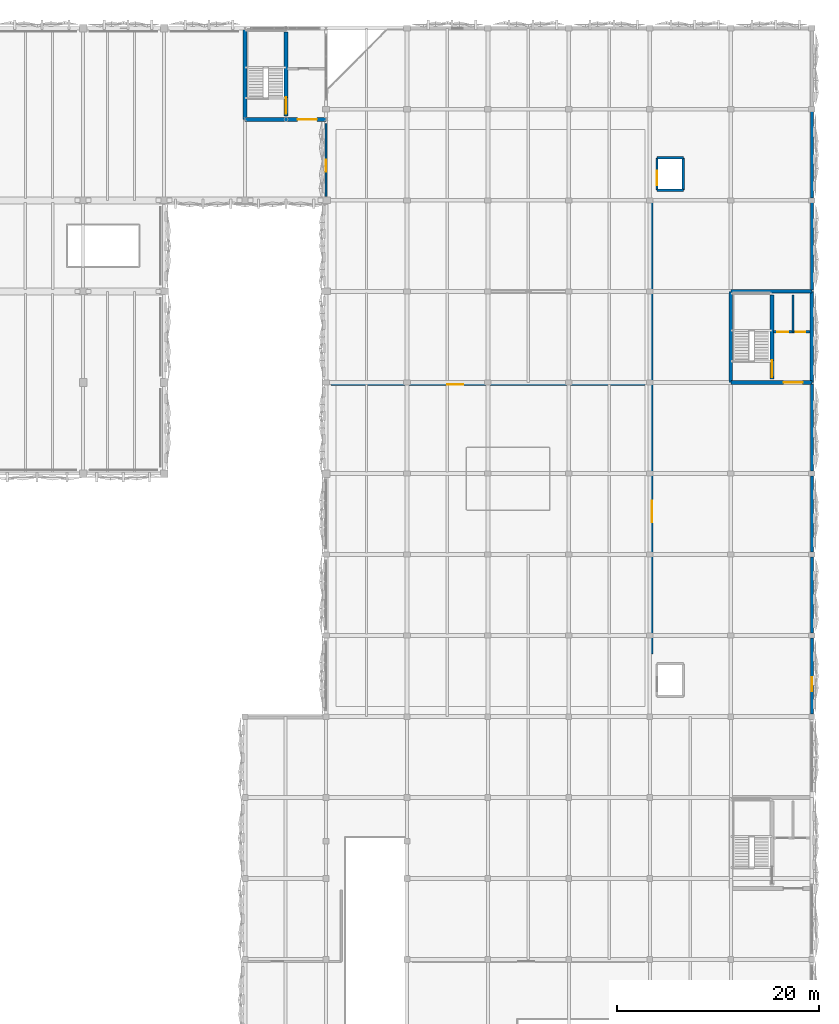
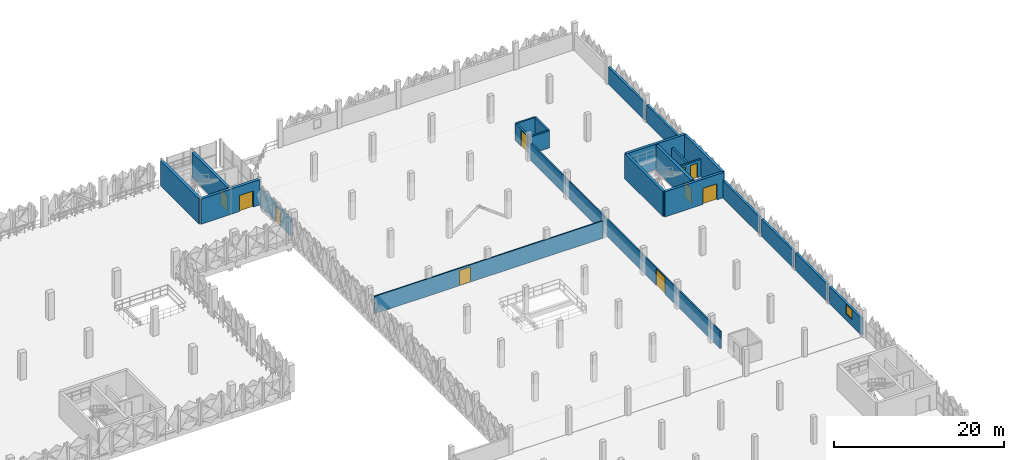
# One storey, part 43 of 83: 23 walls, 10 doors, 1 window, 11 openings.
"""IFC4 building model written with IfcOpenShell, lengths in metres."""

from ifc_helpers import new_model, si_unit, derived_unit, direction, frame, frame_2d, origin, place, context, subcontext, project, spatial, rectangle, extrude, material, layer, layer_set, type_object, element, fill, save


model = new_model("IFC4")

# Units and contexts
model_context = context("Model", 3, precision=1e-05, world=origin(), true_north=direction((0.0, 1.0)))
body_context = subcontext(model_context, "Body", "Model", "MODEL_VIEW")
ifc_project = project(units=[si_unit("LENGTHUNIT", "METRE"), si_unit("AREAUNIT", "SQUARE_METRE"), si_unit("VOLUMEUNIT", "CUBIC_METRE"), si_unit("PLANEANGLEUNIT", "RADIAN"), si_unit("MASSUNIT", "GRAM", prefix="KILO"), si_unit("THERMODYNAMICTEMPERATUREUNIT", "KELVIN"), derived_unit("THERMALTRANSMITTANCEUNIT", [(si_unit("POWERUNIT", "WATT"), 1), (si_unit("AREAUNIT", "SQUARE_METRE"), -1), (si_unit("THERMODYNAMICTEMPERATUREUNIT", "KELVIN"), -1)])], contexts=[model_context])

# Site, building, storey
site_placement = place(None, origin())
site = spatial("IfcSite", under=ifc_project, at=site_placement, CompositionType="ELEMENT")
building_placement = place(site_placement, origin())
building = spatial("IfcBuilding", under=site, at=building_placement, Name="Haiyu Intermodal Mobility Hub", CompositionType="ELEMENT")
storey_placement = place(building_placement, frame((0.0, 0.0, 13.39990234375)))
storey = spatial("IfcBuildingStorey", under=building, at=storey_placement, Name="L03", CompositionType="ELEMENT", Elevation=13.39990234375)

# Wall, opening, window
ifc_material_1 = material(Name="Precast concrete C40", Category="concrete")
ifc_layer_1 = layer(ifc_material_1, 0.300048828125)
ifc_layer_set_1 = layer_set([ifc_layer_1], Name="Precast concrete C40")
wall_type_1 = type_object("IfcWallType", Name="WAL-WE01", PredefinedType="STANDARD", material=ifc_layer_set_1)
wall_1_placement = place(storey_placement, frame((210.0, 80.2548828125, 0.0), z_axis=(0.0, 0.0, 1.0), x_axis=(0.0, 1.0, 0.0)))
wall_1 = element("IfcWall", 1, at=wall_1_placement, inside=storey, type_object=wall_type_1, Name="WAL-V6E-208", PredefinedType="STANDARD", context=body_context, shape_type="SweptSolid", body=[
    extrude(rectangle(XDim=7.510009765625, YDim=0.300048828125, at=frame_2d((3.7548828125, 0.0))), origin(), (0.0, 0.0, 1.0), 2.47998046875),
])
opening_1_placement = place(wall_1_placement, frame((2.22509765625, 0.0, 0.949951171875)))
opening_1 = element("IfcOpeningElement", 2, at=opening_1_placement, cuts=wall_1, Name="Opening WN13", PredefinedType="OPENING", context=body_context, shape_type="SweptSolid", body=[
    extrude(rectangle(XDim=1.39990234375, YDim=1.35009765625, at=frame_2d((0.699951171875, 0.675048828125))), frame((0.0, 0.16015625, 0.0), z_axis=(0.0, -1.0, 0.0), x_axis=(1.0, 0.0, 0.0)), (0.0, 0.0, 1.0), 0.320068359375),
])
ifc_material_2 = material(Name="Low-e laminated insulating glass", Category="glass")
window_type = type_object("IfcWindowType", Name="WIN-WN13", PartitioningType="SINGLE_PANEL", PredefinedType="WINDOW", material=ifc_material_2)
window_placement = place(opening_1_placement, origin())
window = element("IfcWindow", 3, at=window_placement, inside=storey, type_object=window_type, Name="WAL-V6E-208-WN01", OverallHeight=1.35009765625, OverallWidth=1.39990234375, PartitioningType="SINGLE_PANEL", PredefinedType="WINDOW", context=body_context, shape_type="SweptSolid", body=[
    extrude(rectangle(XDim=1.39990234375, YDim=1.35009765625, at=frame_2d((0.699951171875, 0.675048828125))), frame((0.0, 0.030029296875, 0.0), z_axis=(0.0, -1.0, 0.0), x_axis=(1.0, 0.0, 0.0)), (0.0, 0.0, 1.0), 0.06005859375),
])
fill(opening_1, window)

# Walls
for number, where, z_axis, x_axis, name in (
    (4, (210.0, 88.235107421875, 0.0), (0.0, 0.0, 1.0), (0.0, 1.0, 0.0), "WAL-V6E-210"),
    (5, (210.0, 96.235107421875, 0.0), (0.0, 0.0, 1.0), (0.0, 1.0, 0.0), "WAL-V6E-212"),
):
    element("IfcWall", number, at=place(storey_placement, frame(where, z_axis=z_axis, x_axis=x_axis)), inside=storey, type_object=wall_type_1, Name=name, PredefinedType="STANDARD", context=body_context, shape_type="SweptSolid", body=[
        extrude(rectangle(XDim=7.52978515625, YDim=0.300048828125, at=frame_2d((3.764892578125, 0.0))), origin(), (0.0, 0.0, 1.0), 2.47998046875),
    ])
for number, where, z_axis, x_axis, name in (
    (6, (210.0, 104.235107421875, 0.0), (0.0, 0.0, 1.0), (0.0, 1.0, 0.0), "WAL-V6E-214"),
    (7, (210.0, 122.1298828125, 0.0), (0.0, 0.0, 1.0), (0.0, 1.0, 0.0), "WAL-V6E-216"),
):
    element("IfcWall", number, at=place(storey_placement, frame(where, z_axis=z_axis, x_axis=x_axis)), inside=storey, type_object=wall_type_1, Name=name, PredefinedType="STANDARD", context=body_context, shape_type="SweptSolid", body=[
        extrude(rectangle(XDim=8.635009765625, YDim=0.300048828125, at=frame_2d((4.3173828125, 0.0))), origin(), (0.0, 0.0, 1.0), 2.47998046875),
    ])
wall_2_placement = place(storey_placement, frame((210.0, 131.235107421875, 0.0), z_axis=(0.0, 0.0, 1.0), x_axis=(0.0, 1.0, 0.0)))
element("IfcWall", 8, at=wall_2_placement, inside=storey, type_object=wall_type_1, Name="WAL-V6E-218", PredefinedType="STANDARD", context=body_context, shape_type="SweptSolid", body=[
    extrude(rectangle(XDim=8.52978515625, YDim=0.300048828125, at=frame_2d((4.264892578125, 0.0))), origin(), (0.0, 0.0, 1.0), 2.47998046875),
])
ifc_material_3 = material(Name="Autoclaved aerated concrete block A5.0", Category="concrete")
ifc_layer_2 = layer(ifc_material_3, 0.22998046875)
ifc_layer_set_2 = layer_set([ifc_layer_2], Name="Autoclaved aerated concrete block A5.0")
wall_type_2 = type_object("IfcWallType", Name="WAL-WI01", PredefinedType="PARTITIONING", material=ifc_layer_set_2)
wall_3_placement = place(storey_placement, frame((208.1298828125, 118.0, 0.0), z_axis=(0.0, 0.0, 1.0), x_axis=(0.0, 1.0, 0.0)))
element("IfcWall", 9, at=wall_3_placement, inside=storey, type_object=wall_type_2, Name="WAL-CORE-C10-LSH-L03", PredefinedType="PARTITIONING", context=body_context, shape_type="SweptSolid", body=[
    extrude(rectangle(XDim=3.64990234375, YDim=0.22998046875, at=frame_2d((1.824951171875, 0.0))), origin(), (0.0, 0.0, 1.0), 2.47998046875),
])

# Wall, openings, doors
wall_4_placement = place(storey_placement, frame((206.2099609375, 118.0, 0.0), z_axis=(0.0, 0.0, 1.0), x_axis=(1.0, 0.0, 0.0)))
wall_4 = element("IfcWall", 10, at=wall_4_placement, inside=storey, type_object=wall_type_2, Name="WAL-CORE-C10-LFT-L03", PredefinedType="PARTITIONING", context=body_context, shape_type="SweptSolid", body=[
    extrude(rectangle(XDim=3.630126953125, YDim=0.22998046875, at=frame_2d((1.81494140625, 0.0))), origin(), (0.0, 0.0, 1.0), 2.47998046875),
])
opening_2_placement = place(wall_4_placement, frame((0.3798828125, 0.0, 0.0)))
opening_2 = element("IfcOpeningElement", 11, at=opening_2_placement, cuts=wall_4, Name="Opening LD01", PredefinedType="OPENING", context=body_context, shape_type="SweptSolid", body=[
    extrude(rectangle(XDim=1.10009765625, YDim=2.14990234375, at=frame_2d((0.550048828125, 1.074951171875))), frame((0.0, 0.125, 0.0), z_axis=(0.0, -1.0, 0.0), x_axis=(1.0, 0.0, 0.0)), (0.0, 0.0, 1.0), 0.25),
])
opening_3_placement = place(wall_4_placement, frame((2.179931640625, 0.0, 0.0)))
opening_3 = element("IfcOpeningElement", 12, at=opening_3_placement, cuts=wall_4, Name="Opening DI07", PredefinedType="OPENING", context=body_context, shape_type="SweptSolid", body=[
    extrude(rectangle(XDim=0.949951171875, YDim=2.10009765625, at=frame_2d((0.47509765625, 1.050048828125))), frame((0.0, 0.125, 0.0), z_axis=(0.0, -1.0, 0.0), x_axis=(1.0, 0.0, 0.0)), (0.0, 0.0, 1.0), 0.25),
])
ifc_material_4 = material(Name="Steel Q355C", Category="steel")
door_type_1 = type_object("IfcDoorType", Name="DR-DI07", OperationType="NOTDEFINED", PredefinedType="DOOR", material=ifc_material_4)
door_1_placement = place(opening_3_placement, origin())
door_1 = element("IfcDoor", 13, at=door_1_placement, inside=storey, type_object=door_type_1, Name="Core C10 Accessible WC Door L03", OperationType="SINGLE_SWING_RIGHT", OverallHeight=2.10009765625, OverallWidth=0.949951171875, PredefinedType="DOOR", context=body_context, shape_type="SweptSolid", body=[
    extrude(rectangle(XDim=0.949951171875, YDim=2.10009765625, at=frame_2d((0.47509765625, 1.050048828125))), frame((0.0, 0.02490234375, 0.0), z_axis=(0.0, -1.0, 0.0), x_axis=(1.0, 0.0, 0.0)), (0.0, 0.0, 1.0), 0.050048828125),
])
fill(opening_3, door_1)
door_type_2 = type_object("IfcDoorType", Name="DR-LD01", OperationType="DOUBLE_DOOR_SLIDING", PredefinedType="DOOR", material=ifc_material_4)
door_2_placement = place(opening_2_placement, origin())
door_2 = element("IfcDoor", 14, at=door_2_placement, inside=storey, type_object=door_type_2, Name="Lift FL-04 Sliding Landing Door L03", OperationType="SLIDING_TO_LEFT", OverallHeight=2.14990234375, OverallWidth=1.10009765625, PredefinedType="DOOR", context=body_context, shape_type="SweptSolid", body=[
    extrude(rectangle(XDim=1.10009765625, YDim=2.14990234375, at=frame_2d((0.550048828125, 1.074951171875))), frame((0.0, 0.02490234375, 0.0), z_axis=(0.0, -1.0, 0.0), x_axis=(1.0, 0.0, 0.0)), (0.0, 0.0, 1.0), 0.050048828125),
])
fill(opening_2, door_2)

# Wall, opening, door
wall_5_placement = place(storey_placement, frame((194.699951171875, 132.0, 0.0), z_axis=(0.0, 0.0, 1.0), x_axis=(0.0, 1.0, 0.0)))
wall_5 = element("IfcWall", 15, at=wall_5_placement, inside=storey, type_object=wall_type_2, Name="WAL-GL-02-W-L03", PredefinedType="PARTITIONING", context=body_context, shape_type="SweptSolid", body=[
    extrude(rectangle(XDim=3.199951171875, YDim=0.22998046875, at=frame_2d((1.60009765625, 0.0))), origin(), (0.0, 0.0, 1.0), 2.47998046875),
])
opening_4_placement = place(wall_5_placement, frame((0.5, 0.0, 0.0)))
opening_4 = element("IfcOpeningElement", 16, at=opening_4_placement, cuts=wall_5, Name="Opening LD03", PredefinedType="OPENING", context=body_context, shape_type="SweptSolid", body=[
    extrude(rectangle(XDim=1.39990234375, YDim=2.300048828125, at=frame_2d((0.699951171875, 1.14990234375))), frame((0.0, 0.125, 0.0), z_axis=(0.0, -1.0, 0.0), x_axis=(1.0, 0.0, 0.0)), (0.0, 0.0, 1.0), 0.25),
])
door_type_3 = type_object("IfcDoorType", Name="DR-LD03", OperationType="DOUBLE_DOOR_SLIDING", PredefinedType="DOOR", material=ifc_material_4)
door_3_placement = place(opening_4_placement, origin())
door_3 = element("IfcDoor", 17, at=door_3_placement, inside=storey, type_object=door_type_3, Name="Goods Lift GL-02 Sliding Door L03", OperationType="SLIDING_TO_RIGHT", OverallHeight=2.300048828125, OverallWidth=1.39990234375, PredefinedType="DOOR", context=body_context, shape_type="SweptSolid", body=[
    extrude(rectangle(XDim=1.39990234375, YDim=2.300048828125, at=frame_2d((0.699951171875, 1.14990234375))), frame((0.0, 0.02490234375, 0.0), z_axis=(0.0, -1.0, 0.0), x_axis=(1.0, 0.0, 0.0)), (0.0, 0.0, 1.0), 0.050048828125),
])
fill(opening_4, door_3)

# Walls
wall_6_placement = place(storey_placement, frame((194.699951171875, 135.199951171875, 0.0), z_axis=(0.0, 0.0, 1.0), x_axis=(1.0, 0.0, 0.0)))
element("IfcWall", 18, at=wall_6_placement, inside=storey, type_object=wall_type_2, Name="WAL-GL-02-N-L03", PredefinedType="PARTITIONING", context=body_context, shape_type="SweptSolid", body=[
    extrude(rectangle(XDim=2.60009765625, YDim=0.22998046875, at=frame_2d((1.300048828125, 0.0))), origin(), (0.0, 0.0, 1.0), 2.47998046875),
])
wall_7_placement = place(storey_placement, frame((197.300048828125, 135.199951171875, 0.0), z_axis=(0.0, 0.0, 1.0), x_axis=(0.0, -1.0, 0.0)))
element("IfcWall", 19, at=wall_7_placement, inside=storey, type_object=wall_type_2, Name="WAL-GL-02-E-L03", PredefinedType="PARTITIONING", context=body_context, shape_type="SweptSolid", body=[
    extrude(rectangle(XDim=3.199951171875, YDim=0.22998046875, at=frame_2d((1.60009765625, 0.0))), origin(), (0.0, 0.0, 1.0), 2.47998046875),
])
wall_8_placement = place(storey_placement, frame((197.300048828125, 132.0, 0.0), z_axis=(0.0, 0.0, 1.0), x_axis=(-1.0, 0.0, 0.0)))
element("IfcWall", 20, at=wall_8_placement, inside=storey, type_object=wall_type_2, Name="WAL-GL-02-S-L03", PredefinedType="PARTITIONING", context=body_context, shape_type="SweptSolid", body=[
    extrude(rectangle(XDim=2.60009765625, YDim=0.22998046875, at=frame_2d((1.300048828125, 0.0))), origin(), (0.0, 0.0, 1.0), 2.47998046875),
])

# Wall, opening, door
wall_9_placement = place(storey_placement, frame((162.0, 131.39990234375, 0.0), z_axis=(0.0, 0.0, 1.0), x_axis=(0.0, 1.0, 0.0)))
wall_9 = element("IfcWall", 21, at=wall_9_placement, inside=storey, type_object=wall_type_2, Name="WAL-INT-0016", PredefinedType="PARTITIONING", context=body_context, shape_type="SweptSolid", body=[
    extrude(rectangle(XDim=7.2001953125, YDim=0.22998046875, at=frame_2d((3.60009765625, 0.0))), origin(), (0.0, 0.0, 1.0), 2.47998046875),
])
opening_5_placement = place(wall_9_placement, frame((2.39990234375, 0.0, 0.0)))
opening_5 = element("IfcOpeningElement", 22, at=opening_5_placement, cuts=wall_9, Name="Opening DI03", PredefinedType="OPENING", context=body_context, shape_type="SweptSolid", body=[
    extrude(rectangle(XDim=1.199951171875, YDim=2.199951171875, at=frame_2d((0.60009765625, 1.10009765625))), frame((0.0, 0.125, 0.0), z_axis=(0.0, -1.0, 0.0), x_axis=(1.0, 0.0, 0.0)), (0.0, 0.0, 1.0), 0.25),
])
door_type_4 = type_object("IfcDoorType", Name="DR-DI03", OperationType="NOTDEFINED", PredefinedType="DOOR", material=ifc_material_4)
door_4_placement = place(opening_5_placement, origin())
door_4 = element("IfcDoor", 23, at=door_4_placement, inside=storey, type_object=door_type_4, Name="Parking-Service Fire Door L03-A", OperationType="DOUBLE_SWING_LEFT", OverallHeight=2.199951171875, OverallWidth=1.199951171875, PredefinedType="DOOR", context=body_context, shape_type="SweptSolid", body=[
    extrude(rectangle(XDim=1.199951171875, YDim=2.199951171875, at=frame_2d((0.60009765625, 1.10009765625))), frame((0.0, 0.02490234375, 0.0), z_axis=(0.0, -1.0, 0.0), x_axis=(1.0, 0.0, 0.0)), (0.0, 0.0, 1.0), 0.050048828125),
])
fill(opening_5, door_4)

ifc_layer_3 = layer(ifc_material_3, 0.179931640625)
ifc_layer_set_3 = layer_set([ifc_layer_3], Name="Autoclaved aerated concrete block A5.0")
wall_type_3 = type_object("IfcWallType", Name="WAL-WI03", PredefinedType="PARTITIONING", material=ifc_layer_set_3)
wall_10_placement = place(storey_placement, frame((162.5, 112.800048828125, 0.0), z_axis=(0.0, 0.0, 1.0), x_axis=(1.0, 0.0, 0.0)))
wall_10 = element("IfcWall", 24, at=wall_10_placement, inside=storey, type_object=wall_type_3, Name="WAL-INT-0038", PredefinedType="PARTITIONING", context=body_context, shape_type="SweptSolid", body=[
    extrude(rectangle(XDim=31.0, YDim=0.179931640625, at=frame_2d((15.5, 0.0))), origin(), (0.0, 0.0, 1.0), 2.47998046875),
])
opening_6_placement = place(wall_10_placement, frame((11.5, 0.0, 0.0)))
opening_6 = element("IfcOpeningElement", 25, at=opening_6_placement, cuts=wall_10, Name="Opening DI04", PredefinedType="OPENING", context=body_context, shape_type="SweptSolid", body=[
    extrude(rectangle(XDim=1.550048828125, YDim=2.199951171875, at=frame_2d((0.77490234375, 1.10009765625))), frame((0.0, 0.10009765625, 0.0), z_axis=(0.0, -1.0, 0.0), x_axis=(1.0, 0.0, 0.0)), (0.0, 0.0, 1.0), 0.199951171875),
])
door_type_5 = type_object("IfcDoorType", Name="DR-DI04", OperationType="DOUBLE_DOOR_SINGLE_SWING", PredefinedType="DOOR", material=ifc_material_4)
door_5_placement = place(opening_6_placement, origin())
door_5 = element("IfcDoor", 26, at=door_5_placement, inside=storey, type_object=door_type_5, Name="Staff Canteen Door", OperationType="DOUBLE_SWING_LEFT", OverallHeight=2.199951171875, OverallWidth=1.550048828125, PredefinedType="DOOR", context=body_context, shape_type="SweptSolid", body=[
    extrude(rectangle(XDim=1.550048828125, YDim=2.199951171875, at=frame_2d((0.77490234375, 1.10009765625))), frame((0.0, 0.02490234375, 0.0), z_axis=(0.0, -1.0, 0.0), x_axis=(1.0, 0.0, 0.0)), (0.0, 0.0, 1.0), 0.050048828125),
])
fill(opening_6, door_5)

wall_11_placement = place(storey_placement, frame((194.199951171875, 86.199951171875, 0.0), z_axis=(0.0, 0.0, 1.0), x_axis=(0.0, 1.0, 0.0)))
wall_11 = element("IfcWall", 27, at=wall_11_placement, inside=storey, type_object=wall_type_3, Name="WAL-KITC-L03", PredefinedType="PARTITIONING", context=body_context, shape_type="SweptSolid", body=[
    extrude(rectangle(XDim=45.0, YDim=0.179931640625, at=frame_2d((22.5, 0.0))), origin(), (0.0, 0.0, 1.0), 2.47998046875),
])
opening_7_placement = place(wall_11_placement, frame((13.0, 0.0, 0.0)))
opening_7 = element("IfcOpeningElement", 28, at=opening_7_placement, cuts=wall_11, Name="Opening DI08", PredefinedType="OPENING", context=body_context, shape_type="SweptSolid", body=[
    extrude(rectangle(XDim=2.10009765625, YDim=2.35009765625, at=frame_2d((1.050048828125, 1.175048828125))), frame((0.0, 0.10009765625, 0.0), z_axis=(0.0, -1.0, 0.0), x_axis=(1.0, 0.0, 0.0)), (0.0, 0.0, 1.0), 0.199951171875),
])
ifc_material_5 = material(Name="Anodised aluminium 6063-T6", Category="aluminium")
door_type_6 = type_object("IfcDoorType", Name="DR-DI08", OperationType="DOUBLE_DOOR_SINGLE_SWING", PredefinedType="DOOR", material=ifc_material_5)
door_6_placement = place(opening_7_placement, origin())
door_6 = element("IfcDoor", 29, at=door_6_placement, inside=storey, type_object=door_type_6, Name="Canteen Kitchen Door", OperationType="DOUBLE_SWING_RIGHT", OverallHeight=2.35009765625, OverallWidth=2.10009765625, PredefinedType="DOOR", context=body_context, shape_type="SweptSolid", body=[
    extrude(rectangle(XDim=2.10009765625, YDim=2.35009765625, at=frame_2d((1.050048828125, 1.175048828125))), frame((0.0, 0.02490234375, 0.0), z_axis=(0.0, -1.0, 0.0), x_axis=(1.0, 0.0, 0.0)), (0.0, 0.0, 1.0), 0.050048828125),
])
fill(opening_7, door_6)

ifc_material_6 = material(Name="Concrete C40", Category="concrete")
ifc_layer_4 = layer(ifc_material_6, 0.35009765625)
ifc_layer_set_4 = layer_set([ifc_layer_4], Name="Concrete C40")
wall_type_4 = type_object("IfcWallType", Name="WAL-WS02", PredefinedType="SHEAR", material=ifc_layer_set_4)
wall_12_placement = place(storey_placement, frame((202.0, 113.0, 0.0), z_axis=(0.0, 0.0, 1.0), x_axis=(1.0, 0.0, 0.0)))
wall_12 = element("IfcWall", 30, at=wall_12_placement, inside=storey, type_object=wall_type_4, Name="WAL-CORE-C10-S-L03", PredefinedType="SHEAR", context=body_context, shape_type="SweptSolid", body=[
    extrude(rectangle(XDim=8.0, YDim=0.35009765625, at=frame_2d((4.0, 0.0))), origin(), (0.0, 0.0, 1.0), 3.6201171875),
])
opening_8_placement = place(wall_12_placement, frame((5.199951171875, 0.0, 0.0)))
opening_8 = element("IfcOpeningElement", 31, at=opening_8_placement, cuts=wall_12, Name="Opening DI01", PredefinedType="OPENING", context=body_context, shape_type="SweptSolid", body=[
    extrude(rectangle(XDim=1.89990234375, YDim=2.300048828125, at=frame_2d((0.949951171875, 1.14990234375))), frame((0.0, 0.18505859375, 0.0), z_axis=(0.0, -1.0, 0.0), x_axis=(1.0, 0.0, 0.0)), (0.0, 0.0, 1.0), 0.3701171875),
])
door_type_7 = type_object("IfcDoorType", Name="DR-DI01", OperationType="DOUBLE_DOOR_SINGLE_SWING", PredefinedType="DOOR", material=ifc_material_4)
door_7_placement = place(opening_8_placement, origin())
door_7 = element("IfcDoor", 32, at=door_7_placement, inside=storey, type_object=door_type_7, Name="Core C10 Lobby Fire Door L03", OperationType="SINGLE_SWING_LEFT", OverallHeight=2.300048828125, OverallWidth=1.89990234375, PredefinedType="DOOR", context=body_context, shape_type="SweptSolid", body=[
    extrude(rectangle(XDim=1.89990234375, YDim=2.300048828125, at=frame_2d((0.949951171875, 1.14990234375))), frame((0.0, 0.02490234375, 0.0), z_axis=(0.0, -1.0, 0.0), x_axis=(1.0, 0.0, 0.0)), (0.0, 0.0, 1.0), 0.050048828125),
])
fill(opening_8, door_7)

# Walls
wall_13_placement = place(storey_placement, frame((210.0, 113.0, 0.0), z_axis=(0.0, 0.0, 1.0), x_axis=(0.0, 1.0, 0.0)))
element("IfcWall", 33, at=wall_13_placement, inside=storey, type_object=wall_type_4, Name="WAL-CORE-C10-E-L03", PredefinedType="SHEAR", context=body_context, shape_type="SweptSolid", body=[
    extrude(rectangle(XDim=9.0, YDim=0.35009765625, at=frame_2d((4.5, 0.0))), origin(), (0.0, 0.0, 1.0), 3.6201171875),
])
wall_14_placement = place(storey_placement, frame((210.0, 122.0, 0.0), z_axis=(0.0, 0.0, 1.0), x_axis=(-1.0, 0.0, 0.0)))
element("IfcWall", 34, at=wall_14_placement, inside=storey, type_object=wall_type_4, Name="WAL-CORE-C10-N-L03", PredefinedType="SHEAR", context=body_context, shape_type="SweptSolid", body=[
    extrude(rectangle(XDim=8.0, YDim=0.35009765625, at=frame_2d((4.0, 0.0))), origin(), (0.0, 0.0, 1.0), 3.6201171875),
])
wall_15_placement = place(storey_placement, frame((202.0, 122.0, 0.0), z_axis=(0.0, 0.0, 1.0), x_axis=(0.0, -1.0, 0.0)))
element("IfcWall", 35, at=wall_15_placement, inside=storey, type_object=wall_type_4, Name="WAL-CORE-C10-W-L03", PredefinedType="SHEAR", context=body_context, shape_type="SweptSolid", body=[
    extrude(rectangle(XDim=9.0, YDim=0.35009765625, at=frame_2d((4.5, 0.0))), origin(), (0.0, 0.0, 1.0), 3.6201171875),
])

# Wall, opening, door
ifc_layer_5 = layer(ifc_material_6, 0.3798828125)
ifc_layer_set_5 = layer_set([ifc_layer_5], Name="Concrete C40")
wall_type_5 = type_object("IfcWallType", Name="WAL-WS03", PredefinedType="SHEAR", material=ifc_layer_set_5)
wall_16_placement = place(storey_placement, frame((154.0, 139.0, 0.0), z_axis=(0.0, 0.0, 1.0), x_axis=(1.0, 0.0, 0.0)))
wall_16 = element("IfcWall", 36, at=wall_16_placement, inside=storey, type_object=wall_type_5, Name="WAL-CORE-C4-S-L03", PredefinedType="SHEAR", context=body_context, shape_type="SweptSolid", body=[
    extrude(rectangle(XDim=8.0, YDim=0.3798828125, at=frame_2d((4.0, 0.0))), origin(), (0.0, 0.0, 1.0), 3.6201171875),
])
opening_9_placement = place(wall_16_placement, frame((5.199951171875, 0.0, 0.0)))
opening_9 = element("IfcOpeningElement", 37, at=opening_9_placement, cuts=wall_16, Name="Opening DI01", PredefinedType="OPENING", context=body_context, shape_type="SweptSolid", body=[
    extrude(rectangle(XDim=1.89990234375, YDim=2.300048828125, at=frame_2d((0.949951171875, 1.14990234375))), frame((0.0, 0.199951171875, 0.0), z_axis=(0.0, -1.0, 0.0), x_axis=(1.0, 0.0, 0.0)), (0.0, 0.0, 1.0), 0.39990234375),
])
door_8_placement = place(opening_9_placement, origin())
door_8 = element("IfcDoor", 38, at=door_8_placement, inside=storey, type_object=door_type_7, Name="Core C4 Lobby Fire Door L03", OperationType="SINGLE_SWING_LEFT", OverallHeight=2.300048828125, OverallWidth=1.89990234375, PredefinedType="DOOR", context=body_context, shape_type="SweptSolid", body=[
    extrude(rectangle(XDim=1.89990234375, YDim=2.300048828125, at=frame_2d((0.949951171875, 1.14990234375))), frame((0.0, 0.02490234375, 0.0), z_axis=(0.0, -1.0, 0.0), x_axis=(1.0, 0.0, 0.0)), (0.0, 0.0, 1.0), 0.050048828125),
])
fill(opening_9, door_8)

# Wall
wall_17_placement = place(storey_placement, frame((154.0, 148.0, 0.0), z_axis=(0.0, 0.0, 1.0), x_axis=(0.0, -1.0, 0.0)))
element("IfcWall", 39, at=wall_17_placement, inside=storey, type_object=wall_type_5, Name="WAL-CORE-C4-W-L03", PredefinedType="SHEAR", context=body_context, shape_type="SweptSolid", body=[
    extrude(rectangle(XDim=9.0, YDim=0.3798828125, at=frame_2d((4.5, 0.0))), origin(), (0.0, 0.0, 1.0), 3.6201171875),
])

# Wall, opening, door
wall_18_placement = place(storey_placement, frame((158.050048828125, 139.35009765625, 0.0), z_axis=(0.0, 0.0, 1.0), x_axis=(0.0, 1.0, 0.0)))
wall_18 = element("IfcWall", 40, at=wall_18_placement, inside=storey, type_object=wall_type_5, Name="WAL-CORE-C4-MID-L03", PredefinedType="SHEAR", context=body_context, shape_type="SweptSolid", body=[
    extrude(rectangle(XDim=8.2998046875, YDim=0.3798828125, at=frame_2d((4.14990234375, 0.0))), origin(), (0.0, 0.0, 1.0), 3.6201171875),
])
opening_10_placement = place(wall_18_placement, frame((0.179931640625, 0.0, 0.0)))
opening_10 = element("IfcOpeningElement", 41, at=opening_10_placement, cuts=wall_18, Name="Opening DI02", PredefinedType="OPENING", context=body_context, shape_type="SweptSolid", body=[
    extrude(rectangle(XDim=1.64990234375, YDim=2.199951171875, at=frame_2d((0.824951171875, 1.10009765625))), frame((0.0, 0.199951171875, 0.0), z_axis=(0.0, -1.0, 0.0), x_axis=(1.0, 0.0, 0.0)), (0.0, 0.0, 1.0), 0.39990234375),
])
door_type_8 = type_object("IfcDoorType", Name="DR-DI02", OperationType="DOUBLE_DOOR_SINGLE_SWING", PredefinedType="DOOR", material=ifc_material_4)
door_9_placement = place(opening_10_placement, origin())
door_9 = element("IfcDoor", 42, at=door_9_placement, inside=storey, type_object=door_type_8, Name="Stair ST02 Fire Door L03", OperationType="SINGLE_SWING_LEFT", OverallHeight=2.199951171875, OverallWidth=1.64990234375, PredefinedType="DOOR", context=body_context, shape_type="SweptSolid", body=[
    extrude(rectangle(XDim=1.64990234375, YDim=2.199951171875, at=frame_2d((0.824951171875, 1.10009765625))), frame((0.0, 0.02490234375, 0.0), z_axis=(0.0, -1.0, 0.0), x_axis=(1.0, 0.0, 0.0)), (0.0, 0.0, 1.0), 0.050048828125),
])
fill(opening_10, door_9)

wall_19_placement = place(storey_placement, frame((206.050048828125, 113.35009765625, 0.0), z_axis=(0.0, 0.0, 1.0), x_axis=(0.0, 1.0, 0.0)))
wall_19 = element("IfcWall", 43, at=wall_19_placement, inside=storey, type_object=wall_type_5, Name="WAL-CORE-C10-MID-L03", PredefinedType="SHEAR", context=body_context, shape_type="SweptSolid", body=[
    extrude(rectangle(XDim=8.2998046875, YDim=0.3798828125, at=frame_2d((4.14990234375, 0.0))), origin(), (0.0, 0.0, 1.0), 3.6201171875),
])
opening_11_placement = place(wall_19_placement, frame((0.179931640625, 0.0, 0.0)))
opening_11 = element("IfcOpeningElement", 44, at=opening_11_placement, cuts=wall_19, Name="Opening DI02", PredefinedType="OPENING", context=body_context, shape_type="SweptSolid", body=[
    extrude(rectangle(XDim=1.64990234375, YDim=2.199951171875, at=frame_2d((0.824951171875, 1.10009765625))), frame((0.0, 0.199951171875, 0.0), z_axis=(0.0, -1.0, 0.0), x_axis=(1.0, 0.0, 0.0)), (0.0, 0.0, 1.0), 0.39990234375),
])
door_10_placement = place(opening_11_placement, origin())
door_10 = element("IfcDoor", 45, at=door_10_placement, inside=storey, type_object=door_type_8, Name="Stair ST03 Fire Door L03", OperationType="SINGLE_SWING_LEFT", OverallHeight=2.199951171875, OverallWidth=1.64990234375, PredefinedType="DOOR", context=body_context, shape_type="SweptSolid", body=[
    extrude(rectangle(XDim=1.64990234375, YDim=2.199951171875, at=frame_2d((0.824951171875, 1.10009765625))), frame((0.0, 0.02490234375, 0.0), z_axis=(0.0, -1.0, 0.0), x_axis=(1.0, 0.0, 0.0)), (0.0, 0.0, 1.0), 0.050048828125),
])
fill(opening_11, door_10)

save(model, "model.ifc")
